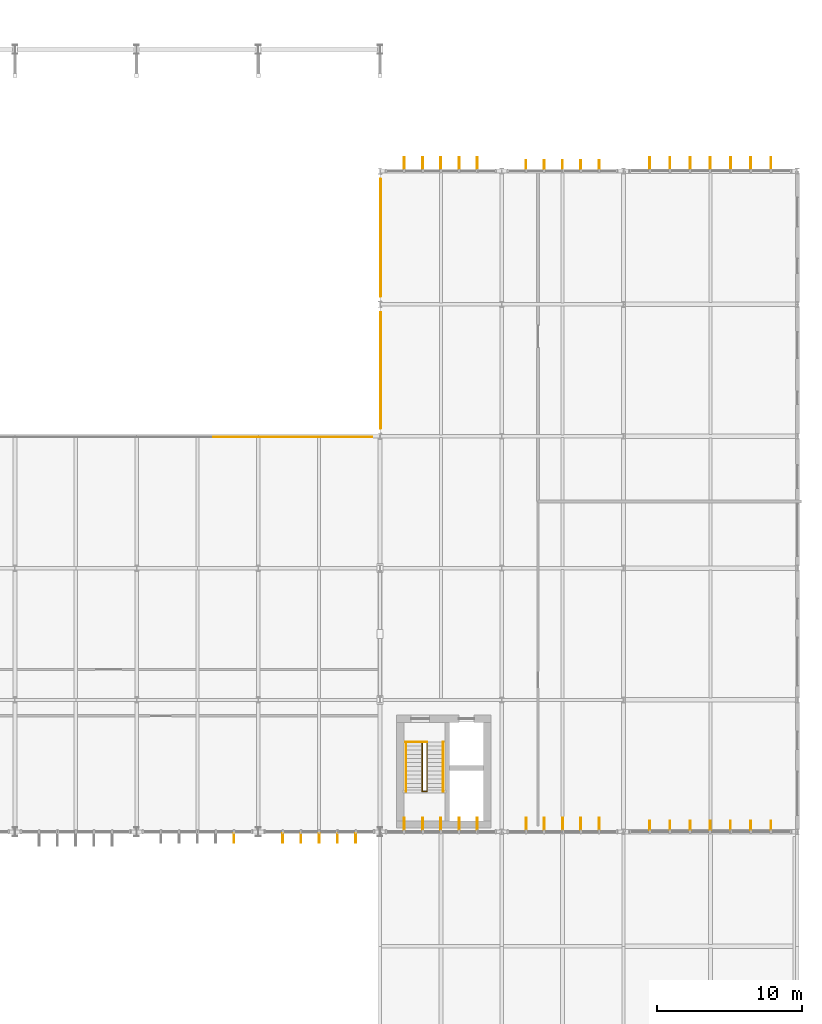
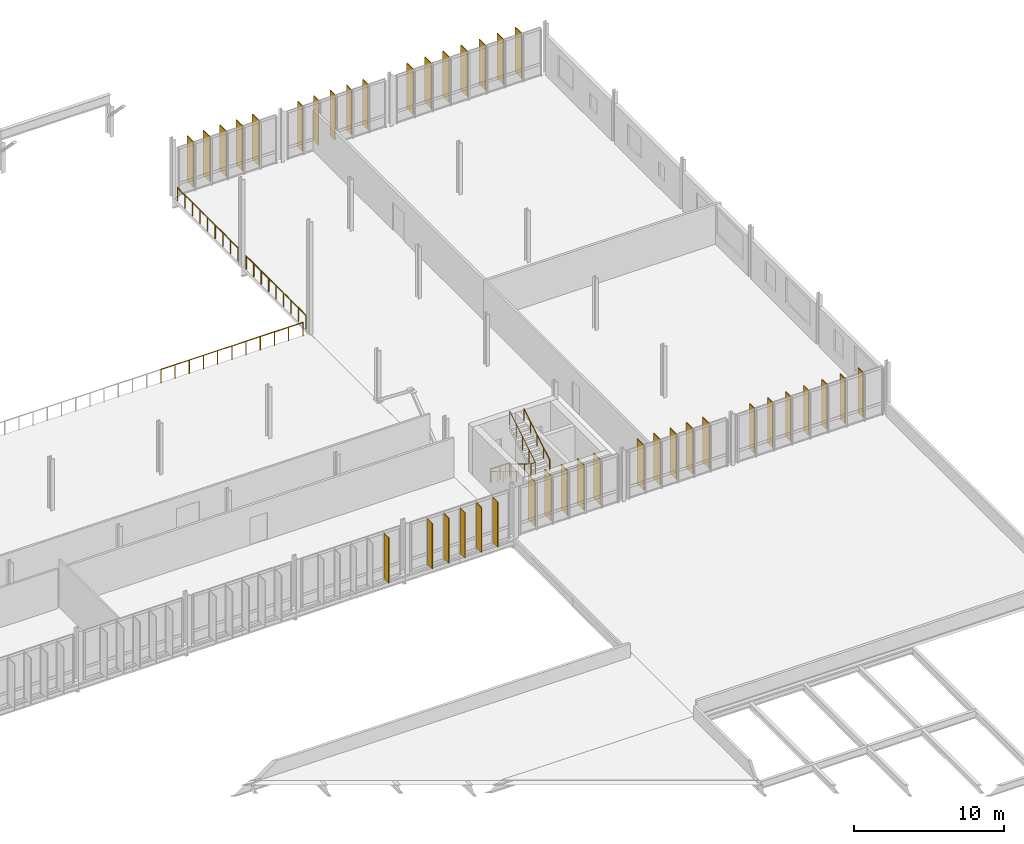
# One storey, part 107 of 107: 40 shading devices, 17 railings.
"""IFC4 building model written with IfcOpenShell, lengths in metres."""

from ifc_helpers import new_model, si_unit, derived_unit, direction, frame, origin, origin_2d, place, context, subcontext, project, spatial, rectangle, circle, extrude, material, layer, layer_set, type_object, element, save


model = new_model("IFC4")

# Units and contexts
model_context = context("Model", 3, precision=1e-05, world=origin(), true_north=direction((0.0, 1.0)))
body_context = subcontext(model_context, "Body", "Model", "MODEL_VIEW")
ifc_project = project(units=[si_unit("LENGTHUNIT", "METRE"), si_unit("AREAUNIT", "SQUARE_METRE"), si_unit("VOLUMEUNIT", "CUBIC_METRE"), si_unit("PLANEANGLEUNIT", "RADIAN"), si_unit("MASSUNIT", "GRAM", prefix="KILO"), derived_unit("THERMALTRANSMITTANCEUNIT", [(si_unit("MASSUNIT", "GRAM", prefix="KILO"), 1), (si_unit("TIMEUNIT", "SECOND"), -3), (si_unit("THERMODYNAMICTEMPERATUREUNIT", "KELVIN"), -1)])], contexts=[model_context])

# Site, building, storey
site_placement = place(None, origin())
site = spatial("IfcSite", under=ifc_project, at=site_placement, CompositionType="ELEMENT")
building_placement = place(site_placement, origin())
building = spatial("IfcBuilding", under=site, at=building_placement, Name="Makaiwela Harbour Ferry Terminal", CompositionType="ELEMENT")
storey_placement = place(building_placement, frame((0.0, 0.0, 9.60009765625)))
storey = spatial("IfcBuildingStorey", under=building, at=storey_placement, Name="L02", CompositionType="ELEMENT", Elevation=9.60009765625)

# Shading devices
ifc_material_1 = material(Name="Marine anodised aluminium 6063-T6", Category="aluminium")
ifc_layer_1 = layer(ifc_material_1, 0.054931640625)
ifc_layer_set_1 = layer_set([ifc_layer_1], Name="Marine anodised aluminium 6063-T6")
shading_device_type_1 = type_object("IfcShadingDeviceType", Name="ENV-FIN-650", PredefinedType="USERDEFINED", material=ifc_layer_set_1)
for number, where, z_axis, x_axis, name in (
    (1, (128.52001953125, 48.9619140625, 0.156982421875), (0.0, 0.0, 1.0), (0.0, -1.0, 0.0), "Vertical Solar Fin SFN-0303"),
    (2, (136.919921875, 48.9619140625, 0.156982421875), (0.0, 0.0, 1.0), (0.0, -1.0, 0.0), "Vertical Solar Fin SFN-0318"),
    (3, (135.659912109375, 48.9619140625, 0.156982421875), (0.0, 0.0, 1.0), (0.0, -1.0, 0.0), "Vertical Solar Fin SFN-0319"),
    (4, (134.39990234375, 48.9619140625, 0.156982421875), (0.0, 0.0, 1.0), (0.0, -1.0, 0.0), "Vertical Solar Fin SFN-0320"),
    (5, (133.139892578125, 48.9619140625, 0.156982421875), (0.0, 0.0, 1.0), (0.0, -1.0, 0.0), "Vertical Solar Fin SFN-0321"),
    (6, (131.8798828125, 48.9619140625, 0.156982421875), (0.0, 0.0, 1.0), (0.0, -1.0, 0.0), "Vertical Solar Fin SFN-0322"),
    (7, (148.679931640625, 95.43798828125, 0.156982421875), (0.0, 0.0, 1.0), (0.0, 1.0, 0.0), "Vertical Solar Fin SFN-0468"),
    (8, (149.93994140625, 95.43798828125, 0.156982421875), (0.0, 0.0, 1.0), (0.0, 1.0, 0.0), "Vertical Solar Fin SFN-0469"),
    (9, (151.199951171875, 95.43798828125, 0.156982421875), (0.0, 0.0, 1.0), (0.0, 1.0, 0.0), "Vertical Solar Fin SFN-0470"),
    (10, (152.4599609375, 95.43798828125, 0.156982421875), (0.0, 0.0, 1.0), (0.0, 1.0, 0.0), "Vertical Solar Fin SFN-0471"),
    (11, (153.719970703125, 95.43798828125, 0.156982421875), (0.0, 0.0, 1.0), (0.0, 1.0, 0.0), "Vertical Solar Fin SFN-0472"),
    (12, (165.5849609375, 49.837890625, 0.156982421875), (0.0, 0.0, 1.0), (0.0, 1.0, 0.0), "Vertical Solar Fin SFN-0526"),
    (13, (164.18994140625, 49.837890625, 0.156982421875), (0.0, 0.0, 1.0), (0.0, 1.0, 0.0), "Vertical Solar Fin SFN-0527"),
    (14, (162.794921875, 49.837890625, 0.156982421875), (0.0, 0.0, 1.0), (0.0, 1.0, 0.0), "Vertical Solar Fin SFN-0528"),
    (15, (161.39990234375, 49.837890625, 0.156982421875), (0.0, 0.0, 1.0), (0.0, 1.0, 0.0), "Vertical Solar Fin SFN-0529"),
    (16, (160.0048828125, 49.837890625, 0.156982421875), (0.0, 0.0, 1.0), (0.0, 1.0, 0.0), "Vertical Solar Fin SFN-0530"),
    (17, (158.610107421875, 49.837890625, 0.156982421875), (0.0, 0.0, 1.0), (0.0, 1.0, 0.0), "Vertical Solar Fin SFN-0531"),
    (18, (157.215087890625, 49.837890625, 0.156982421875), (0.0, 0.0, 1.0), (0.0, 1.0, 0.0), "Vertical Solar Fin SFN-0532"),
):
    element("IfcShadingDevice", number, at=place(storey_placement, frame(where, z_axis=z_axis, x_axis=x_axis)), inside=storey, type_object=shading_device_type_1, Name=name, ObjectType="SOLAR FIN", PredefinedType="USERDEFINED", context=body_context, shape_type="SweptSolid", body=[
        extrude(rectangle(XDim=0.64990234375, YDim=0.054931640625, at=origin_2d()), origin(), (0.0, 0.0, 1.0), 3.68994140625),
    ])
ifc_material_2 = material(Name="Thermally modified Accoya timber and anodised aluminium", Category="wood")
ifc_layer_2 = layer(ifc_material_2, 0.06005859375)
ifc_layer_set_2 = layer_set([ifc_layer_2], Name="Thermally modified Accoya timber and anodised aluminium")
shading_device_type_2 = type_object("IfcShadingDeviceType", Name="ENV-FIN-850", PredefinedType="USERDEFINED", material=ifc_layer_set_2)
for number, where, z_axis, x_axis, name in (
    (19, (140.280029296875, 95.5380859375, 0.156982421875), (0.0, 0.0, 1.0), (0.0, 1.0, 0.0), "Vertical Solar Fin SFN-0448"),
    (20, (141.5400390625, 95.5380859375, 0.156982421875), (0.0, 0.0, 1.0), (0.0, 1.0, 0.0), "Vertical Solar Fin SFN-0449"),
    (21, (142.800048828125, 95.5380859375, 0.156982421875), (0.0, 0.0, 1.0), (0.0, 1.0, 0.0), "Vertical Solar Fin SFN-0450"),
    (22, (144.06005859375, 95.5380859375, 0.156982421875), (0.0, 0.0, 1.0), (0.0, 1.0, 0.0), "Vertical Solar Fin SFN-0451"),
    (23, (145.320068359375, 95.5380859375, 0.156982421875), (0.0, 0.0, 1.0), (0.0, 1.0, 0.0), "Vertical Solar Fin SFN-0452"),
    (24, (157.215087890625, 95.5380859375, 0.156982421875), (0.0, 0.0, 1.0), (0.0, 1.0, 0.0), "Vertical Solar Fin SFN-0492"),
    (25, (158.610107421875, 95.5380859375, 0.156982421875), (0.0, 0.0, 1.0), (0.0, 1.0, 0.0), "Vertical Solar Fin SFN-0493"),
    (26, (160.0048828125, 95.5380859375, 0.156982421875), (0.0, 0.0, 1.0), (0.0, 1.0, 0.0), "Vertical Solar Fin SFN-0494"),
    (27, (161.39990234375, 95.5380859375, 0.156982421875), (0.0, 0.0, 1.0), (0.0, 1.0, 0.0), "Vertical Solar Fin SFN-0495"),
    (28, (162.794921875, 95.5380859375, 0.156982421875), (0.0, 0.0, 1.0), (0.0, 1.0, 0.0), "Vertical Solar Fin SFN-0496"),
    (29, (164.18994140625, 95.5380859375, 0.156982421875), (0.0, 0.0, 1.0), (0.0, 1.0, 0.0), "Vertical Solar Fin SFN-0497"),
    (30, (165.5849609375, 95.5380859375, 0.156982421875), (0.0, 0.0, 1.0), (0.0, 1.0, 0.0), "Vertical Solar Fin SFN-0498"),
    (31, (145.320068359375, 49.93798828125, 0.156982421875), (0.0, 0.0, 1.0), (0.0, 1.0, 0.0), "Vertical Solar Fin SFN-0506"),
    (32, (144.06005859375, 49.93798828125, 0.156982421875), (0.0, 0.0, 1.0), (0.0, 1.0, 0.0), "Vertical Solar Fin SFN-0507"),
    (33, (142.800048828125, 49.93798828125, 0.156982421875), (0.0, 0.0, 1.0), (0.0, 1.0, 0.0), "Vertical Solar Fin SFN-0508"),
    (34, (141.5400390625, 49.93798828125, 0.156982421875), (0.0, 0.0, 1.0), (0.0, 1.0, 0.0), "Vertical Solar Fin SFN-0509"),
    (35, (140.280029296875, 49.93798828125, 0.156982421875), (0.0, 0.0, 1.0), (0.0, 1.0, 0.0), "Vertical Solar Fin SFN-0510"),
    (36, (153.719970703125, 49.93798828125, 0.156982421875), (0.0, 0.0, 1.0), (0.0, 1.0, 0.0), "Vertical Solar Fin SFN-0516"),
    (37, (152.4599609375, 49.93798828125, 0.156982421875), (0.0, 0.0, 1.0), (0.0, 1.0, 0.0), "Vertical Solar Fin SFN-0517"),
    (38, (151.199951171875, 49.93798828125, 0.156982421875), (0.0, 0.0, 1.0), (0.0, 1.0, 0.0), "Vertical Solar Fin SFN-0518"),
    (39, (149.93994140625, 49.93798828125, 0.156982421875), (0.0, 0.0, 1.0), (0.0, 1.0, 0.0), "Vertical Solar Fin SFN-0519"),
    (40, (148.679931640625, 49.93798828125, 0.156982421875), (0.0, 0.0, 1.0), (0.0, 1.0, 0.0), "Vertical Solar Fin SFN-0520"),
):
    element("IfcShadingDevice", number, at=place(storey_placement, frame(where, z_axis=z_axis, x_axis=x_axis)), inside=storey, type_object=shading_device_type_2, Name=name, ObjectType="SOLAR FIN", PredefinedType="USERDEFINED", context=body_context, shape_type="SweptSolid", body=[
        extrude(rectangle(XDim=0.85009765625, YDim=0.06005859375, at=origin_2d()), origin(), (0.0, 0.0, 1.0), 3.68994140625),
    ])

# Railings
ifc_material_3 = material(Name="Marine grade 316L brushed stainless steel", Category="steel")
railing_type_1 = type_object("IfcRailingType", Name="INT-RL-GRD110", PredefinedType="GUARDRAIL", material=ifc_material_3)
railing_1_placement = place(storey_placement, frame((140.3701171875, 55.60009765625, 0.0)))
element("IfcRailing", 41, at=railing_1_placement, inside=storey, type_object=railing_type_1, Name="Stair top well guardrail RL-0078", PredefinedType="GUARDRAIL", context=body_context, shape_type="SweptSolid", body=[
    extrude(circle(Radius=0.02392578125, at=origin_2d()), frame((0.0, 0.0, 1.09619140625), z_axis=(1.0, 0.0, 0.0), x_axis=(0.0, 1.0, 0.0)), (0.0, 0.0, 1.0), 1.47998046875),
    extrude(circle(Radius=0.02099609375, at=origin_2d()), origin(), (0.0, 0.0, 1.0), 1.072021484375),
    extrude(circle(Radius=0.02099609375, at=origin_2d()), frame((0.739990234375, 0.0, 0.0)), (0.0, 0.0, 1.0), 1.072021484375),
    extrude(circle(Radius=0.02099609375, at=origin_2d()), frame((1.47998046875, 0.0, 0.0)), (0.0, 0.0, 1.0), 1.072021484375),
])
railing_2_placement = place(storey_placement, frame((141.510009765625, 55.60009765625, 0.0)))
element("IfcRailing", 42, at=railing_2_placement, inside=storey, type_object=railing_type_1, Name="Stair well guardrail RL-0081", PredefinedType="GUARDRAIL", context=body_context, shape_type="SweptSolid", body=[
    extrude(circle(Radius=0.02392578125, at=origin_2d()), frame((0.0, 0.0, 1.09619140625), z_axis=(0.0, -0.852198826108, 0.523218081473), x_axis=(1.0, 0.0, 0.0)), (0.0, 0.0, 1.0), 4.013427734375),
    extrude(circle(Radius=0.02392578125, at=origin_2d()), frame((0.0, -3.420166015625, 3.19580078125), z_axis=(1.0, 0.0, 0.0), x_axis=(0.0, 1.0, 0.0)), (0.0, 0.0, 1.0), 0.340087890625),
    extrude(circle(Radius=0.02392578125, at=origin_2d()), frame((0.340087890625, -3.420166015625, 3.19580078125), z_axis=(0.0, 0.852171701593, 0.523262258341), x_axis=(-1.0, 0.0, 0.0)), (0.0, 0.0, 1.0), 4.013427734375),
    extrude(circle(Radius=0.02099609375, at=origin_2d()), origin(), (0.0, 0.0, 1.0), 1.072021484375),
    extrude(circle(Radius=0.02099609375, at=origin_2d()), frame((0.0, -0.85498046875, 0.52490234375)), (0.0, 0.0, 1.0), 1.072021484375),
    extrude(circle(Radius=0.02099609375, at=origin_2d()), frame((0.0, -1.7099609375, 1.0498046875)), (0.0, 0.0, 1.0), 1.072021484375),
    extrude(circle(Radius=0.02099609375, at=origin_2d()), frame((0.0, -2.565185546875, 1.574951171875)), (0.0, 0.0, 1.0), 1.072021484375),
    extrude(circle(Radius=0.02099609375, at=origin_2d()), frame((0.0, -3.420166015625, 2.099853515625)), (0.0, 0.0, 1.0), 1.072021484375),
    extrude(circle(Radius=0.02099609375, at=origin_2d()), frame((0.340087890625, -3.420166015625, 2.099853515625)), (0.0, 0.0, 1.0), 1.072021484375),
    extrude(circle(Radius=0.02099609375, at=origin_2d()), frame((0.340087890625, -2.565185546875, 2.625)), (0.0, 0.0, 1.0), 1.072021484375),
    extrude(circle(Radius=0.02099609375, at=origin_2d()), frame((0.340087890625, -1.7099609375, 3.14990234375)), (0.0, 0.0, 1.0), 1.072021484375),
    extrude(circle(Radius=0.02099609375, at=origin_2d()), frame((0.340087890625, -0.85498046875, 3.6748046875)), (0.0, 0.0, 1.0), 1.072021484375),
    extrude(circle(Radius=0.02099609375, at=origin_2d()), frame((0.340087890625, 0.0, 4.199951171875)), (0.0, 0.0, 1.0), 1.072021484375),
])
railing_3_placement = place(storey_placement, frame((127.1015625, 76.655029296875, 0.0)))
element("IfcRailing", 43, at=railing_3_placement, inside=storey, type_object=railing_type_1, Name="Deck edge guardrail RL-0547", PredefinedType="GUARDRAIL", context=body_context, shape_type="SweptSolid", body=[
    extrude(circle(Radius=0.02392578125, at=origin_2d()), frame((0.0, 0.0, 1.09619140625), z_axis=(1.0, 0.0, 0.0), x_axis=(0.0, 1.0, 0.0)), (0.0, 0.0, 1.0), 2.18994140625),
    extrude(circle(Radius=0.02099609375, at=origin_2d()), origin(), (0.0, 0.0, 1.0), 1.072021484375),
    extrude(circle(Radius=0.02099609375, at=origin_2d()), frame((1.094970703125, 0.0, 0.0)), (0.0, 0.0, 1.0), 1.072021484375),
    extrude(circle(Radius=0.02099609375, at=origin_2d()), frame((2.18994140625, 0.0, 0.0)), (0.0, 0.0, 1.0), 1.072021484375),
])
for number, where, name in (
    (44, (129.29150390625, 76.655029296875, 0.0), "Deck edge guardrail RL-0548"),
    (45, (131.481689453125, 76.655029296875, 0.0), "Deck edge guardrail RL-0549"),
    (46, (133.671875, 76.655029296875, 0.0), "Deck edge guardrail RL-0550"),
    (47, (135.862060546875, 76.655029296875, 0.0), "Deck edge guardrail RL-0551"),
):
    element("IfcRailing", number, at=place(storey_placement, frame(where)), inside=storey, type_object=railing_type_1, Name=name, PredefinedType="GUARDRAIL", context=body_context, shape_type="SweptSolid", body=[
        extrude(circle(Radius=0.02392578125, at=origin_2d()), frame((0.0, 0.0, 1.09619140625), z_axis=(1.0, 0.0, 0.0), x_axis=(0.0, 1.0, 0.0)), (0.0, 0.0, 1.0), 2.190185546875),
        extrude(circle(Radius=0.02099609375, at=origin_2d()), origin(), (0.0, 0.0, 1.0), 1.072021484375),
        extrude(circle(Radius=0.02099609375, at=origin_2d()), frame((1.09521484375, 0.0, 0.0)), (0.0, 0.0, 1.0), 1.072021484375),
        extrude(circle(Radius=0.02099609375, at=origin_2d()), frame((2.190185546875, 0.0, 0.0)), (0.0, 0.0, 1.0), 1.072021484375),
    ])
railing_4_placement = place(storey_placement, frame((138.64697265625, 77.247802734375, 0.0)))
element("IfcRailing", 48, at=railing_4_placement, inside=storey, type_object=railing_type_1, Name="Deck edge guardrail RL-0552", PredefinedType="GUARDRAIL", context=body_context, shape_type="SweptSolid", body=[
    extrude(circle(Radius=0.02392578125, at=origin_2d()), frame((0.0, 0.0, 1.09619140625), z_axis=(-0.000122010736, 0.999999992557, 0.0), x_axis=(-0.999999992557, -0.000122010736, 0.0)), (0.0, 0.0, 1.0), 2.0009765625),
    extrude(circle(Radius=0.02099609375, at=origin_2d()), origin(), (0.0, 0.0, 1.0), 1.072021484375),
    extrude(circle(Radius=0.02099609375, at=origin_2d()), frame((0.0, 1.00048828125, 0.0)), (0.0, 0.0, 1.0), 1.072021484375),
    extrude(circle(Radius=0.02099609375, at=origin_2d()), frame((-0.000244140625, 2.0009765625, 0.0)), (0.0, 0.0, 1.0), 1.072021484375),
])
for number, where, name in (
    (49, (138.646728515625, 79.248779296875, 0.0), "Deck edge guardrail RL-0553"),
    (50, (138.646484375, 81.25, 0.0), "Deck edge guardrail RL-0554"),
):
    element("IfcRailing", number, at=place(storey_placement, frame(where)), inside=storey, type_object=railing_type_1, Name=name, PredefinedType="GUARDRAIL", context=body_context, shape_type="SweptSolid", body=[
        extrude(circle(Radius=0.02392578125, at=origin_2d()), frame((0.0, 0.0, 1.09619140625), z_axis=(-0.000121995851, 0.999999992559, 0.0), x_axis=(-0.999999992559, -0.000121995851, 0.0)), (0.0, 0.0, 1.0), 2.001220703125),
        extrude(circle(Radius=0.02099609375, at=origin_2d()), origin(), (0.0, 0.0, 1.0), 1.072021484375),
        extrude(circle(Radius=0.02099609375, at=origin_2d()), frame((0.0, 1.00048828125, 0.0)), (0.0, 0.0, 1.0), 1.072021484375),
        extrude(circle(Radius=0.02099609375, at=origin_2d()), frame((-0.000244140625, 2.001220703125, 0.0)), (0.0, 0.0, 1.0), 1.072021484375),
    ])
railing_5_placement = place(storey_placement, frame((138.646240234375, 83.251220703125, 0.0)))
element("IfcRailing", 51, at=railing_5_placement, inside=storey, type_object=railing_type_1, Name="Deck edge guardrail RL-0555", PredefinedType="GUARDRAIL", context=body_context, shape_type="SweptSolid", body=[
    extrude(circle(Radius=0.02392578125, at=origin_2d()), frame((0.0, 0.0, 1.09619140625), z_axis=(-0.000122010736, 0.999999992557, 0.0), x_axis=(-0.999999992557, -0.000122010736, 0.0)), (0.0, 0.0, 1.0), 2.0009765625),
    extrude(circle(Radius=0.02099609375, at=origin_2d()), origin(), (0.0, 0.0, 1.0), 1.072021484375),
    extrude(circle(Radius=0.02099609375, at=origin_2d()), frame((0.0, 1.00048828125, 0.0)), (0.0, 0.0, 1.0), 1.072021484375),
    extrude(circle(Radius=0.02099609375, at=origin_2d()), frame((-0.000244140625, 2.0009765625, 0.0)), (0.0, 0.0, 1.0), 1.072021484375),
])
for number, where, name in (
    (52, (138.64599609375, 86.34765625, 0.0), "Deck edge guardrail RL-0556"),
    (53, (138.645751953125, 88.373779296875, 0.0), "Deck edge guardrail RL-0557"),
    (54, (138.6455078125, 90.39990234375, 0.0), "Deck edge guardrail RL-0558"),
    (55, (138.645263671875, 92.426025390625, 0.0), "Deck edge guardrail RL-0559"),
):
    element("IfcRailing", number, at=place(storey_placement, frame(where)), inside=storey, type_object=railing_type_1, Name=name, PredefinedType="GUARDRAIL", context=body_context, shape_type="SweptSolid", body=[
        extrude(circle(Radius=0.02392578125, at=origin_2d()), frame((0.0, 0.0, 1.09619140625), z_axis=(-0.000120496444, 0.99999999274, 0.0), x_axis=(-0.99999999274, -0.000120496444, 0.0)), (0.0, 0.0, 1.0), 2.026123046875),
        extrude(circle(Radius=0.02099609375, at=origin_2d()), origin(), (0.0, 0.0, 1.0), 1.072021484375),
        extrude(circle(Radius=0.02099609375, at=origin_2d()), frame((0.0, 1.01318359375, 0.0)), (0.0, 0.0, 1.0), 1.072021484375),
        extrude(circle(Radius=0.02099609375, at=origin_2d()), frame((-0.000244140625, 2.026123046875, 0.0)), (0.0, 0.0, 1.0), 1.072021484375),
    ])
railing_type_2 = type_object("IfcRailingType", Name="INT-RL-HND090", PredefinedType="HANDRAIL", material=ifc_material_3)
railing_6_placement = place(storey_placement, frame((140.39990234375, 55.60009765625, 0.0)))
element("IfcRailing", 56, at=railing_6_placement, inside=storey, type_object=railing_type_2, Name="Stair wall handrail RL-0083", PredefinedType="HANDRAIL", context=body_context, shape_type="SweptSolid", body=[
    extrude(circle(Radius=0.02392578125, at=origin_2d()), frame((0.0, 0.0, 0.89111328125), z_axis=(0.0, -0.852198826108, 0.523218081473), x_axis=(1.0, 0.0, 0.0)), (0.0, 0.0, 1.0), 4.013427734375),
    extrude(circle(Radius=0.02099609375, at=origin_2d()), origin(), (0.0, 0.0, 1.0), 0.866943359375),
    extrude(circle(Radius=0.02099609375, at=origin_2d()), frame((0.0, -0.85498046875, 0.52490234375)), (0.0, 0.0, 1.0), 0.866943359375),
    extrude(circle(Radius=0.02099609375, at=origin_2d()), frame((0.0, -1.7099609375, 1.0498046875)), (0.0, 0.0, 1.0), 0.866943359375),
    extrude(circle(Radius=0.02099609375, at=origin_2d()), frame((0.0, -2.565185546875, 1.574951171875)), (0.0, 0.0, 1.0), 0.866943359375),
    extrude(circle(Radius=0.02099609375, at=origin_2d()), frame((0.0, -3.420166015625, 2.099853515625)), (0.0, 0.0, 1.0), 0.866943359375),
])
railing_7_placement = place(storey_placement, frame((142.9599609375, 52.179931640625, 2.099853515625)))
element("IfcRailing", 57, at=railing_7_placement, inside=storey, type_object=railing_type_2, Name="Stair upper handrail RL-0084", PredefinedType="HANDRAIL", context=body_context, shape_type="SweptSolid", body=[
    extrude(circle(Radius=0.02392578125, at=origin_2d()), frame((0.0, 0.0, 0.89111328125), z_axis=(0.0, 0.852171701593, 0.523262258341), x_axis=(-1.0, 0.0, 0.0)), (0.0, 0.0, 1.0), 4.013427734375),
    extrude(circle(Radius=0.02099609375, at=origin_2d()), origin(), (0.0, 0.0, 1.0), 0.866943359375),
    extrude(circle(Radius=0.02099609375, at=origin_2d()), frame((0.0, 0.85498046875, 0.52490234375)), (0.0, 0.0, 1.0), 0.866943359375),
    extrude(circle(Radius=0.02099609375, at=origin_2d()), frame((0.0, 1.7099609375, 1.050048828125)), (0.0, 0.0, 1.0), 0.866943359375),
    extrude(circle(Radius=0.02099609375, at=origin_2d()), frame((0.0, 2.565185546875, 1.5751953125)), (0.0, 0.0, 1.0), 0.866943359375),
    extrude(circle(Radius=0.02099609375, at=origin_2d()), frame((0.0, 3.420166015625, 2.10009765625)), (0.0, 0.0, 1.0), 0.866943359375),
])

save(model, "model.ifc")
